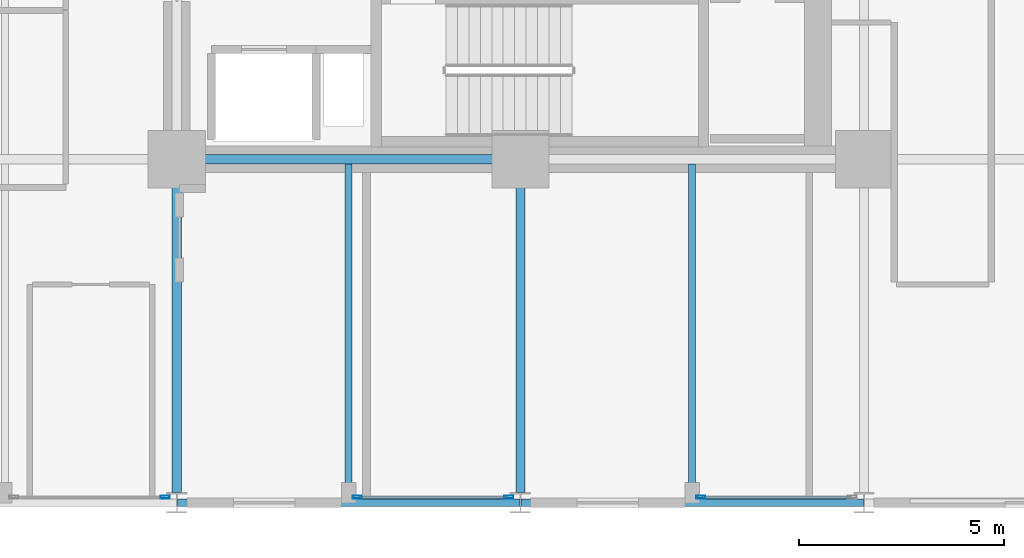
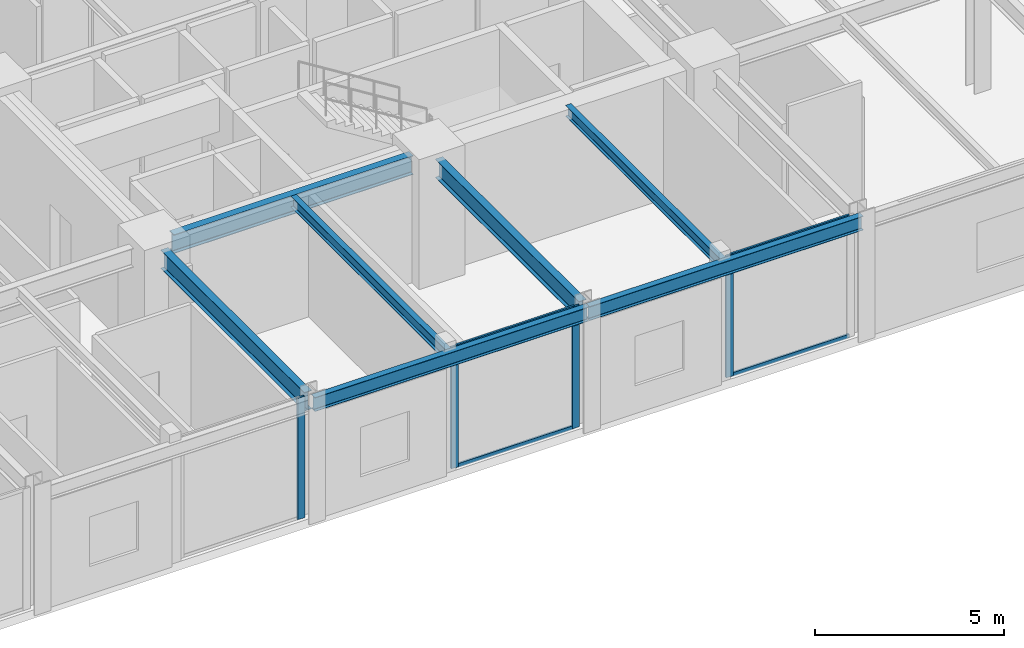
# One storey, part 6 of 26: 8 members, 7 beams, 3 elements without a shape of their own.
"""IFC4 building model written with IfcOpenShell, lengths in metres."""

from ifc_helpers import new_model, si_unit, direction, frame, origin, origin_2d, place, context, subcontext, project, spatial, hollow_rectangle, i_section, extrude, material, layer, layer_set, material_profile, profile_set, type_object, element, aggregate, save


model = new_model("IFC4")

# Units and contexts
model_context = context("Model", 3, precision=1e-05, world=origin(), true_north=direction((0.0, 1.0)))
body_context = subcontext(model_context, "Body", "Model", "MODEL_VIEW")
ifc_project = project(units=[si_unit("LENGTHUNIT", "METRE"), si_unit("AREAUNIT", "SQUARE_METRE"), si_unit("VOLUMEUNIT", "CUBIC_METRE"), si_unit("PLANEANGLEUNIT", "RADIAN"), si_unit("MASSUNIT", "GRAM", prefix="KILO")], contexts=[model_context])

# Site, building, storey
site_placement = place(None, origin())
site = spatial("IfcSite", under=ifc_project, at=site_placement, CompositionType="ELEMENT")
building_placement = place(site_placement, origin())
building = spatial("IfcBuilding", under=site, at=building_placement, Name="Nerrivon Quay Data Exchange", CompositionType="ELEMENT")
storey_placement = place(building_placement, frame((0.0, 0.0, 71.0)))
storey = spatial("IfcBuildingStorey", under=building, at=storey_placement, Name="L16", CompositionType="ELEMENT", Elevation=71.0)

# Beams
ifc_material_1 = material(Name="Steel Grade 350", Category="steel")
ifc_material_profile_1 = material_profile(ifc_material_1, i_section(OverallWidth=0.22900390625, OverallDepth=0.612060546875, WebThickness=0.011962890625, FlangeThickness=0.01953125, FilletRadius=0.013916015625, at=origin_2d()), Name="610UB125")
ifc_profile_set_1 = profile_set([ifc_material_profile_1], Name="Steel Grade 350")
beam_type_1 = type_object("IfcBeamType", Name="BM-G1-610UB125", PredefinedType="BEAM", material=ifc_profile_set_1)
beam_1_placement = place(storey_placement, frame((17.340087890625, 8.39990234375, 3.618896484375), z_axis=(1.0, 0.0, 0.0), x_axis=(0.0, 1.0, 0.0)))
element("IfcBeam", 1, at=beam_1_placement, inside=storey, type_object=beam_type_1, Name="L16 EW Girder Y=8.4 (16.8..25.2)", PredefinedType="BEAM", context=body_context, shape_type="SweptSolid", body=[
    extrude(i_section(OverallWidth=0.22900390625, OverallDepth=0.612060546875, WebThickness=0.011962890625, FlangeThickness=0.01953125, FilletRadius=0.013916015625, at=origin_2d()), origin(), (0.0, 0.0, 1.0), 7.31982421875),
])
ifc_material_profile_2 = material_profile(ifc_material_1, i_section(OverallWidth=0.22802734375, OverallDepth=0.60205078125, WebThickness=0.010498046875, FlangeThickness=0.014892578125, FilletRadius=0.013916015625, at=origin_2d()), Name="610UB101")
ifc_profile_set_2 = profile_set([ifc_material_profile_2], Name="Steel Grade 350")
beam_type_2 = type_object("IfcBeamType", Name="BM-G2-610UB101", PredefinedType="BEAM", material=ifc_profile_set_2)
for number, where, z_axis, x_axis, name in (
    (2, (16.800048828125, 0.25, 3.6240234375), (0.0, 1.0, 0.0), (-1.0, 0.0, 0.0), "L16 NS Girder X=16.8 (0.0..8.4)"),
    (3, (25.199951171875, 0.25, 3.6240234375), (0.0, 1.0, 0.0), (-1.0, 0.0, 0.0), "L16 NS Girder X=25.2 (0.0..8.4)"),
):
    element("IfcBeam", number, at=place(storey_placement, frame(where, z_axis=z_axis, x_axis=x_axis)), inside=storey, type_object=beam_type_2, Name=name, PredefinedType="BEAM", context=body_context, shape_type="SweptSolid", body=[
        extrude(i_section(OverallWidth=0.22802734375, OverallDepth=0.60205078125, WebThickness=0.010498046875, FlangeThickness=0.014892578125, FilletRadius=0.013916015625, at=origin_2d()), origin(), (0.0, 0.0, 1.0), 7.610107421875),
    ])
ifc_material_profile_3 = material_profile(ifc_material_1, i_section(OverallWidth=0.172119140625, OverallDepth=0.35888671875, WebThickness=0.008056640625, FlangeThickness=0.012939453125, FilletRadius=0.011474609375, at=origin_2d()), Name="360UB56.7")
ifc_profile_set_3 = profile_set([ifc_material_profile_3], Name="Steel Grade 350")
beam_type_3 = type_object("IfcBeamType", Name="BM-J3-360UB57", PredefinedType="JOIST", material=ifc_profile_set_3)
for number, where, z_axis, x_axis, name in (
    (4, (21.0, 0.094970703125, 3.74560546875), (0.0, 1.0, 0.0), (-1.0, 0.0, 0.0), "L16 Secondary Joist X=21.0 (0.0..8.4)"),
    (5, (29.39990234375, 0.094970703125, 3.74560546875), (0.0, 1.0, 0.0), (-1.0, 0.0, 0.0), "L16 Secondary Joist X=29.4 (0.0..8.4)"),
):
    element("IfcBeam", number, at=place(storey_placement, frame(where, z_axis=z_axis, x_axis=x_axis)), inside=storey, type_object=beam_type_3, Name=name, PredefinedType="JOIST", context=body_context, shape_type="SweptSolid", body=[
        extrude(i_section(OverallWidth=0.172119140625, OverallDepth=0.35888671875, WebThickness=0.008056640625, FlangeThickness=0.012939453125, FilletRadius=0.011474609375, at=origin_2d()), origin(), (0.0, 0.0, 1.0), 8.1904296875),
    ])
ifc_material_profile_4 = material_profile(ifc_material_1, i_section(OverallWidth=0.18994140625, OverallDepth=0.4541015625, WebThickness=0.008544921875, FlangeThickness=0.0126953125, FilletRadius=0.011474609375, at=origin_2d()), Name="460UB67.1")
ifc_profile_set_4 = profile_set([ifc_material_profile_4], Name="Steel Grade 350")
beam_type_4 = type_object("IfcBeamType", Name="BM-SP1-460UB67", PredefinedType="SPANDREL", material=ifc_profile_set_4)
beam_2_placement = place(storey_placement, frame((16.81396484375, 0.0, 3.697998046875), z_axis=(1.0, 0.0, 0.0), x_axis=(0.0, 1.0, 0.0)))
element("IfcBeam", 6, at=beam_2_placement, inside=storey, type_object=beam_type_4, Name="L16 EW Girder Y=0.0 (16.8..25.2)", PredefinedType="SPANDREL", context=body_context, shape_type="SweptSolid", body=[
    extrude(i_section(OverallWidth=0.18994140625, OverallDepth=0.4541015625, WebThickness=0.008544921875, FlangeThickness=0.0126953125, FilletRadius=0.011474609375, at=origin_2d()), origin(), (0.0, 0.0, 1.0), 8.3720703125),
])
beam_3_placement = place(storey_placement, frame((25.214111328125, 0.0, 3.697998046875), z_axis=(1.0, 0.0, 0.0), x_axis=(0.0, 1.0, 0.0)))
element("IfcBeam", 7, at=beam_3_placement, inside=storey, type_object=beam_type_4, Name="L16 EW Girder Y=0.0 (25.2..33.6)", PredefinedType="SPANDREL", context=body_context, shape_type="SweptSolid", body=[
    extrude(i_section(OverallWidth=0.18994140625, OverallDepth=0.4541015625, WebThickness=0.008544921875, FlangeThickness=0.0126953125, FilletRadius=0.011474609375, at=origin_2d()), origin(), (0.0, 0.0, 1.0), 8.371826171875),
])

# Curtain wall, member
ifc_material_2 = material(Name="Anodised aluminium 6063-T6", Category="aluminium")
ifc_layer = layer(ifc_material_2, 0.219970703125)
ifc_layer_set = layer_set([ifc_layer], Name="Anodised aluminium 6063-T6")
curtain_wall_type = type_object("IfcCurtainWallType", Name="CW-SYS-01", PredefinedType="NOTDEFINED", material=ifc_layer_set)
curtain_wall_1_placement = place(storey_placement, origin())
curtain_wall_1 = element("IfcCurtainWall", 8, at=curtain_wall_1_placement, inside=storey, type_object=curtain_wall_type, Name="L16 Unitised Curtain Wall 8", PredefinedType="NOTDEFINED")
ifc_material_profile_5 = material_profile(ifc_material_2, hollow_rectangle(XDim=0.074951171875, YDim=0.219970703125, WallThickness=0.00390625, at=origin_2d()), Name="ALU-MULL-220x75")
ifc_profile_set_5 = profile_set([ifc_material_profile_5], Name="Anodised aluminium 6063-T6")
member_type_1 = type_object("IfcMemberType", Name="CWM-220x75", PredefinedType="MULLION", material=ifc_profile_set_5)
member_1_placement = place(storey_placement, frame((29.612548828125, 0.139892578125, 0.0), z_axis=(0.0, 0.0, 1.0), x_axis=(0.0, -1.0, 0.0)))
member_1 = element("IfcMember", 9, at=member_1_placement, type_object=member_type_1, Name="CW01 mullion 2", PredefinedType="MULLION", context=body_context, shape_type="SweptSolid", body=[
    extrude(hollow_rectangle(XDim=0.074951171875, YDim=0.219970703125, WallThickness=0.00390625, at=origin_2d()), origin(), (0.0, 0.0, 1.0), 3.925048828125),
])

# Curtain wall, members
curtain_wall_2_placement = place(storey_placement, origin())
curtain_wall_2 = element("IfcCurtainWall", 10, at=curtain_wall_2_placement, inside=storey, type_object=curtain_wall_type, Name="L16 Unitised Curtain Wall 10", PredefinedType="NOTDEFINED")
member_2_placement = place(storey_placement, frame((24.91259765625, 0.139892578125, 0.0), z_axis=(0.0, 0.0, 1.0), x_axis=(0.0, -1.0, 0.0)))
member_2 = element("IfcMember", 11, at=member_2_placement, type_object=member_type_1, Name="CW01 mullion 1", PredefinedType="MULLION", context=body_context, shape_type="SweptSolid", body=[
    extrude(hollow_rectangle(XDim=0.074951171875, YDim=0.219970703125, WallThickness=0.00390625, at=origin_2d()), origin(), (0.0, 0.0, 1.0), 3.925048828125),
])
member_3_placement = place(storey_placement, frame((21.21240234375, 0.139892578125, 0.0), z_axis=(0.0, 0.0, 1.0), x_axis=(0.0, -1.0, 0.0)))
member_3 = element("IfcMember", 12, at=member_3_placement, type_object=member_type_1, Name="CW01 mullion 2", PredefinedType="MULLION", context=body_context, shape_type="SweptSolid", body=[
    extrude(hollow_rectangle(XDim=0.074951171875, YDim=0.219970703125, WallThickness=0.00390625, at=origin_2d()), origin(), (0.0, 0.0, 1.0), 3.925048828125),
])

# Curtain wall, member
curtain_wall_3_placement = place(storey_placement, origin())
curtain_wall_3 = element("IfcCurtainWall", 13, at=curtain_wall_3_placement, inside=storey, type_object=curtain_wall_type, Name="L16 Unitised Curtain Wall 12", PredefinedType="NOTDEFINED")
member_4_placement = place(storey_placement, frame((16.512451171875, 0.139892578125, 0.0), z_axis=(0.0, 0.0, 1.0), x_axis=(0.0, -1.0, 0.0)))
member_4 = element("IfcMember", 14, at=member_4_placement, type_object=member_type_1, Name="CW01 mullion 1", PredefinedType="MULLION", context=body_context, shape_type="SweptSolid", body=[
    extrude(hollow_rectangle(XDim=0.074951171875, YDim=0.219970703125, WallThickness=0.00390625, at=origin_2d()), origin(), (0.0, 0.0, 1.0), 3.925048828125),
])
aggregate(curtain_wall_3, [member_4])

# Member
ifc_material_profile_6 = material_profile(ifc_material_2, hollow_rectangle(XDim=0.06005859375, YDim=0.1201171875, WallThickness=0.003173828125, at=origin_2d()), Name="ALU-TRAN-120x60")
ifc_profile_set_6 = profile_set([ifc_material_profile_6], Name="Anodised aluminium 6063-T6")
member_type_2 = type_object("IfcMemberType", Name="CWT-120x60", PredefinedType="USERDEFINED", material=ifc_profile_set_6)
member_5_placement = place(storey_placement, frame((33.27490234375, 0.139892578125, 0.032470703125), z_axis=(-1.0, 0.0, 0.0), x_axis=(0.0, -1.0, 0.0)))
member_5 = element("IfcMember", 15, at=member_5_placement, type_object=member_type_2, Name="CW01 transom 1.1", ObjectType="TRANSOM", PredefinedType="USERDEFINED", context=body_context, shape_type="SweptSolid", body=[
    extrude(hollow_rectangle(XDim=0.06005859375, YDim=0.1201171875, WallThickness=0.003173828125, at=origin_2d()), origin(), (0.0, 0.0, 1.0), 3.625),
])

member_6_placement = place(storey_placement, frame((33.27490234375, 0.139892578125, 3.892578125), z_axis=(-1.0, 0.0, 0.0), x_axis=(0.0, -1.0, 0.0)))
member_6 = element("IfcMember", 16, at=member_6_placement, type_object=member_type_2, Name="CW01 transom 1.2", ObjectType="TRANSOM", PredefinedType="USERDEFINED", context=body_context, shape_type="SweptSolid", body=[
    extrude(hollow_rectangle(XDim=0.06005859375, YDim=0.1201171875, WallThickness=0.003173828125, at=origin_2d()), origin(), (0.0, 0.0, 1.0), 3.625),
])

aggregate(curtain_wall_1, [member_1, member_5, member_6])

member_7_placement = place(storey_placement, frame((24.875, 0.139892578125, 0.032470703125), z_axis=(-1.0, 0.0, 0.0), x_axis=(0.0, -1.0, 0.0)))
member_7 = element("IfcMember", 17, at=member_7_placement, type_object=member_type_2, Name="CW01 transom 1.1", ObjectType="TRANSOM", PredefinedType="USERDEFINED", context=body_context, shape_type="SweptSolid", body=[
    extrude(hollow_rectangle(XDim=0.06005859375, YDim=0.1201171875, WallThickness=0.003173828125, at=origin_2d()), origin(), (0.0, 0.0, 1.0), 3.625),
])

member_8_placement = place(storey_placement, frame((24.875, 0.139892578125, 3.892578125), z_axis=(-1.0, 0.0, 0.0), x_axis=(0.0, -1.0, 0.0)))
member_8 = element("IfcMember", 18, at=member_8_placement, type_object=member_type_2, Name="CW01 transom 1.2", ObjectType="TRANSOM", PredefinedType="USERDEFINED", context=body_context, shape_type="SweptSolid", body=[
    extrude(hollow_rectangle(XDim=0.06005859375, YDim=0.1201171875, WallThickness=0.003173828125, at=origin_2d()), origin(), (0.0, 0.0, 1.0), 3.625),
])

aggregate(curtain_wall_2, [member_2, member_3, member_7, member_8])

save(model, "model.ifc")
